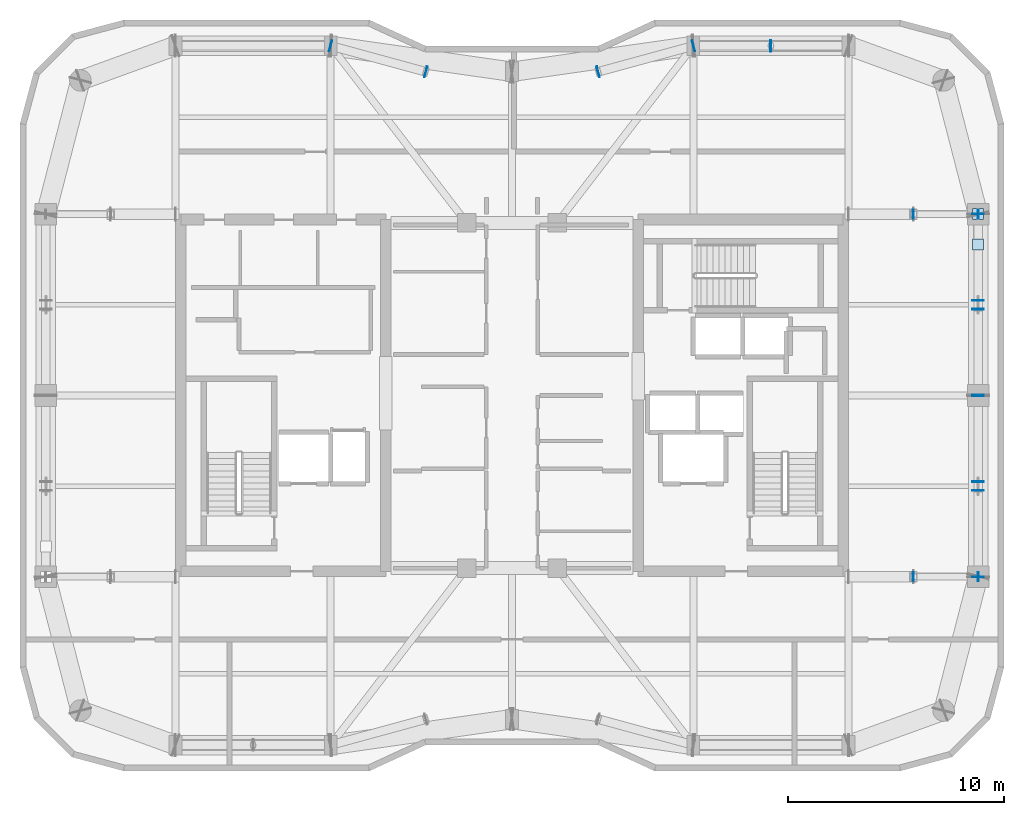
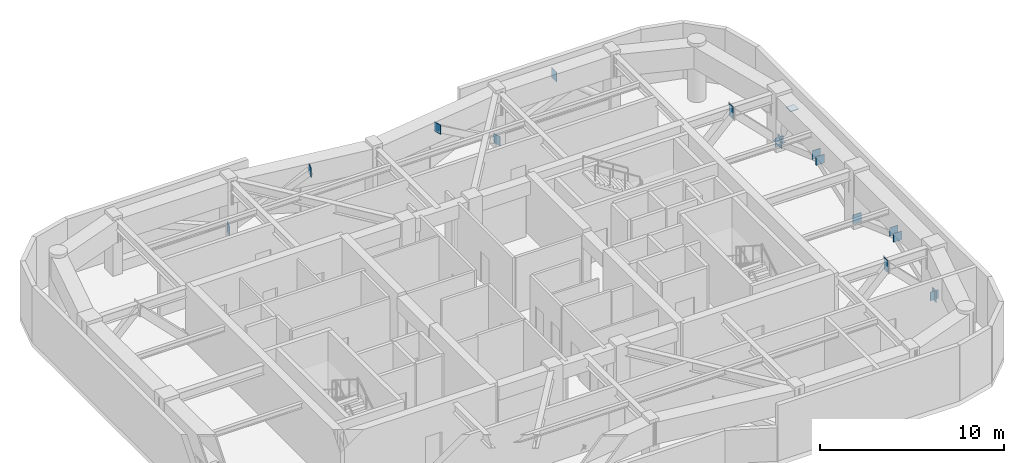
# One storey, part 7 of 11: 19 plates.
"""IFC4 building model written with IfcOpenShell, lengths in metres."""

from ifc_helpers import new_model, si_unit, direction, frame, origin, origin_2d, place, context, subcontext, project, spatial, rectangle, extrude, material, layer, layer_set, type_object, element, save


model = new_model("IFC4")

# Units and contexts
model_context = context("Model", 3, precision=1e-05, world=origin(), true_north=direction((0.0, 1.0)))
body_context = subcontext(model_context, "Body", "Model", "MODEL_VIEW")
ifc_project = project(units=[si_unit("LENGTHUNIT", "METRE"), si_unit("AREAUNIT", "SQUARE_METRE"), si_unit("VOLUMEUNIT", "CUBIC_METRE"), si_unit("PLANEANGLEUNIT", "RADIAN"), si_unit("MASSUNIT", "GRAM", prefix="KILO")], contexts=[model_context])

# Site, building, storey
site_placement = place(None, origin())
site = spatial("IfcSite", under=ifc_project, at=site_placement, CompositionType="ELEMENT")
building_placement = place(site_placement, origin())
building = spatial("IfcBuilding", under=site, at=building_placement, Name="Kiyonajd Concourse Tower", CompositionType="ELEMENT")
storey_placement = place(building_placement, frame((0.0, 0.0, 282.300048828125)))
storey = spatial("IfcBuildingStorey", under=building, at=storey_placement, Name="L71", CompositionType="ELEMENT", Elevation=282.300048828125)

# Plates
ifc_material = material(Name="Steel ASTM A572 Grade 50", Category="steel")
ifc_layer_1 = layer(ifc_material, 0.028076171875)
ifc_layer_set_1 = layer_set([ifc_layer_1], Name="Steel ASTM A572 Grade 50")
plate_type_1 = type_object("IfcPlateType", Name="PL-CAP-450", PredefinedType="USERDEFINED", material=ifc_layer_set_1)
plate_placement = place(storey_placement, frame((59.99169921875, 52.199951171875, 3.001708984375), z_axis=(0.0, 0.0, 1.0), x_axis=(-1.0, 0.0, 0.0)))
element("IfcPlate", 1, at=plate_placement, inside=storey, type_object=plate_type_1, Name="L71 Hollow Brace Top Cap Plate PBN", ObjectType="CAP PLATE", PredefinedType="USERDEFINED", context=body_context, shape_type="SweptSolid", body=[
    extrude(rectangle(XDim=0.035888671875, YDim=0.52587890625, at=origin_2d()), origin(), (0.0, 0.0, 1.0), 0.6708984375),
])
for number, where, z_axis, x_axis, name in (
    (2, (69.60009765625, 44.404541015625, 0.27587890625), (0.0, 0.0, 1.0), (1.0, 0.0, 0.0), "L71 Hollow Brace End Cap Plate PBE"),
    (3, (69.60009765625, 42.995361328125, 3.32568359375), (0.0, 0.0, 1.0), (1.0, 0.0, 0.0), "L71 Hollow Brace Top Cap Plate PBE"),
):
    element("IfcPlate", number, at=place(storey_placement, frame(where, z_axis=z_axis, x_axis=x_axis)), inside=storey, type_object=plate_type_1, Name=name, ObjectType="CAP PLATE", PredefinedType="USERDEFINED", context=body_context, shape_type="SweptSolid", body=[
        extrude(rectangle(XDim=0.506103515625, YDim=0.506103515625, at=origin_2d()), origin(), (0.0, 0.0, 1.0), 0.028076171875),
    ])
ifc_layer_2 = layer(ifc_material, 0.031982421875)
ifc_layer_set_2 = layer_set([ifc_layer_2], Name="Steel ASTM A572 Grade 50")
plate_type_2 = type_object("IfcPlateType", Name="PL-CAP-540", PredefinedType="USERDEFINED", material=ifc_layer_set_2)
for number, where, z_axis, x_axis, name in (
    (4, (66.59228515625, 27.60009765625, 2.94775390625), (0.0, 0.0, 1.0), (-1.0, 0.0, 0.0), "L71 Outrigger End Cap Plate 06"),
    (5, (69.607666015625, 27.60009765625, -0.09765625), (0.0, 0.0, 1.0), (1.0, 0.0, 0.0), "L71 Outrigger Far End Cap Plate 06"),
    (6, (66.59228515625, 44.39990234375, 2.94775390625), (0.0, 0.0, 1.0), (-1.0, 0.0, 0.0), "L71 Outrigger End Cap Plate 08"),
    (7, (69.607666015625, 44.39990234375, -0.09765625), (0.0, 0.0, 1.0), (1.0, 0.0, 0.0), "L71 Outrigger Far End Cap Plate 08"),
):
    element("IfcPlate", number, at=place(storey_placement, frame(where, z_axis=z_axis, x_axis=x_axis)), inside=storey, type_object=plate_type_2, Name=name, ObjectType="CAP PLATE", PredefinedType="USERDEFINED", context=body_context, shape_type="SweptSolid", body=[
        extrude(rectangle(XDim=0.035888671875, YDim=0.419921875, at=origin_2d()), origin(), (0.0, 0.0, 1.0), 0.780029296875),
    ])
for number, where, z_axis, x_axis, name in (
    (8, (39.59130859375, 52.202392578125, -0.01611328125), (0.0, 0.0, 1.0), (-0.964741401527, 0.263199597605, 0.0), "L71 Outrigger End Cap Plate 14"),
    (9, (44.0087890625, 50.99755859375, 3.02587890625), (0.0, 0.0, 1.0), (0.964741401527, -0.263199597605, 0.0), "L71 Outrigger Far End Cap Plate 14"),
    (10, (51.9912109375, 50.99755859375, 3.02587890625), (0.0, 0.0, 1.0), (-0.964741401527, -0.263199597605, 0.0), "L71 Outrigger End Cap Plate 15"),
    (11, (56.40869140625, 52.202392578125, -0.01611328125), (0.0, 0.0, 1.0), (0.964741401527, 0.263199597605, 0.0), "L71 Outrigger Far End Cap Plate 15"),
):
    element("IfcPlate", number, at=place(storey_placement, frame(where, z_axis=z_axis, x_axis=x_axis)), inside=storey, type_object=plate_type_2, Name=name, ObjectType="CAP PLATE", PredefinedType="USERDEFINED", context=body_context, shape_type="SweptSolid", body=[
        extrude(rectangle(XDim=0.035888671875, YDim=0.52001953125, at=origin_2d()), origin(), (0.0, 0.0, 1.0), 0.6201171875),
    ])
for number, where, z_axis, x_axis, name in (
    (12, (69.60009765625, 36.01025390625, 0.013671875), (0.0, 0.0, 1.0), (0.0, 1.0, 0.0), "L71 X Brace Far End Cap E1"),
    (13, (69.60009765625, 27.589599609375, 0.013671875), (0.0, 0.0, 1.0), (0.0, -1.0, 0.0), "L71 Split X Brace Outer Cap E1"),
    (14, (69.60009765625, 31.593994140625, 1.458251953125), (0.0, 0.0, 1.0), (0.0, 1.0, 0.0), "L71 Split X Brace Node Collar E1"),
    (15, (69.60009765625, 32.006103515625, 1.606689453125), (0.0, 0.0, 1.0), (0.0, -1.0, 0.0), "L71 Split X Brace Node Collar E1"),
    (16, (69.60009765625, 44.410400390625, 0.013671875), (0.0, 0.0, 1.0), (0.0, 1.0, 0.0), "L71 X Brace Far End Cap E2"),
    (17, (69.60009765625, 35.98974609375, 0.013671875), (0.0, 0.0, 1.0), (0.0, -1.0, 0.0), "L71 Split X Brace Outer Cap E2"),
    (18, (69.60009765625, 39.993896484375, 1.458251953125), (0.0, 0.0, 1.0), (0.0, 1.0, 0.0), "L71 Split X Brace Node Collar E2"),
    (19, (69.60009765625, 40.406005859375, 1.606689453125), (0.0, 0.0, 1.0), (0.0, -1.0, 0.0), "L71 Split X Brace Node Collar E2"),
):
    element("IfcPlate", number, at=place(storey_placement, frame(where, z_axis=z_axis, x_axis=x_axis)), inside=storey, type_object=plate_type_2, Name=name, ObjectType="CAP PLATE", PredefinedType="USERDEFINED", context=body_context, shape_type="SweptSolid", body=[
        extrude(rectangle(XDim=0.035888671875, YDim=0.52001953125, at=origin_2d()), origin(), (0.0, 0.0, 1.0), 0.56494140625),
    ])

save(model, "model.ifc")
